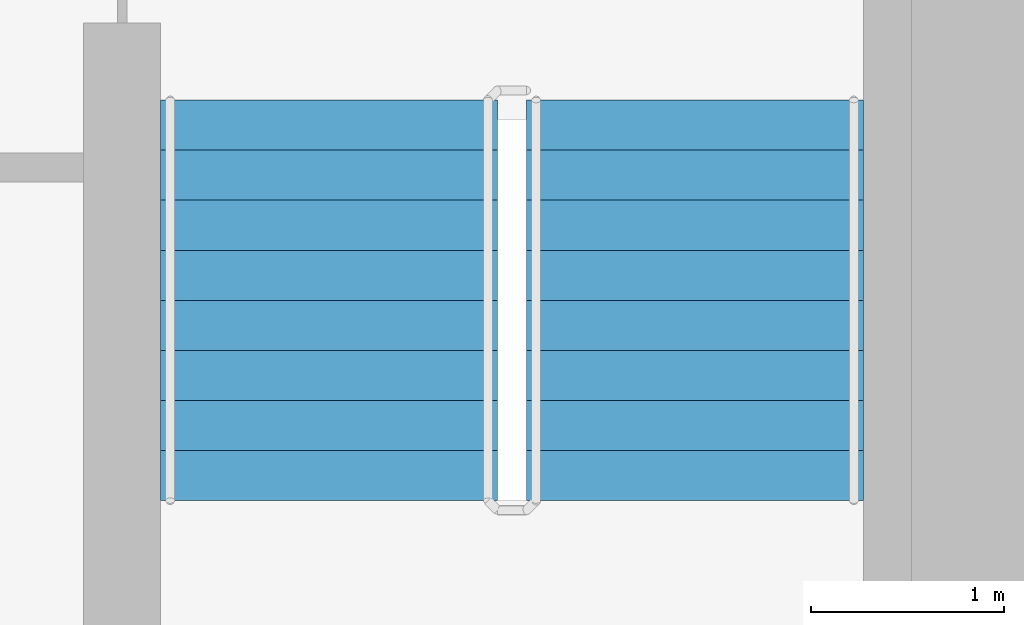
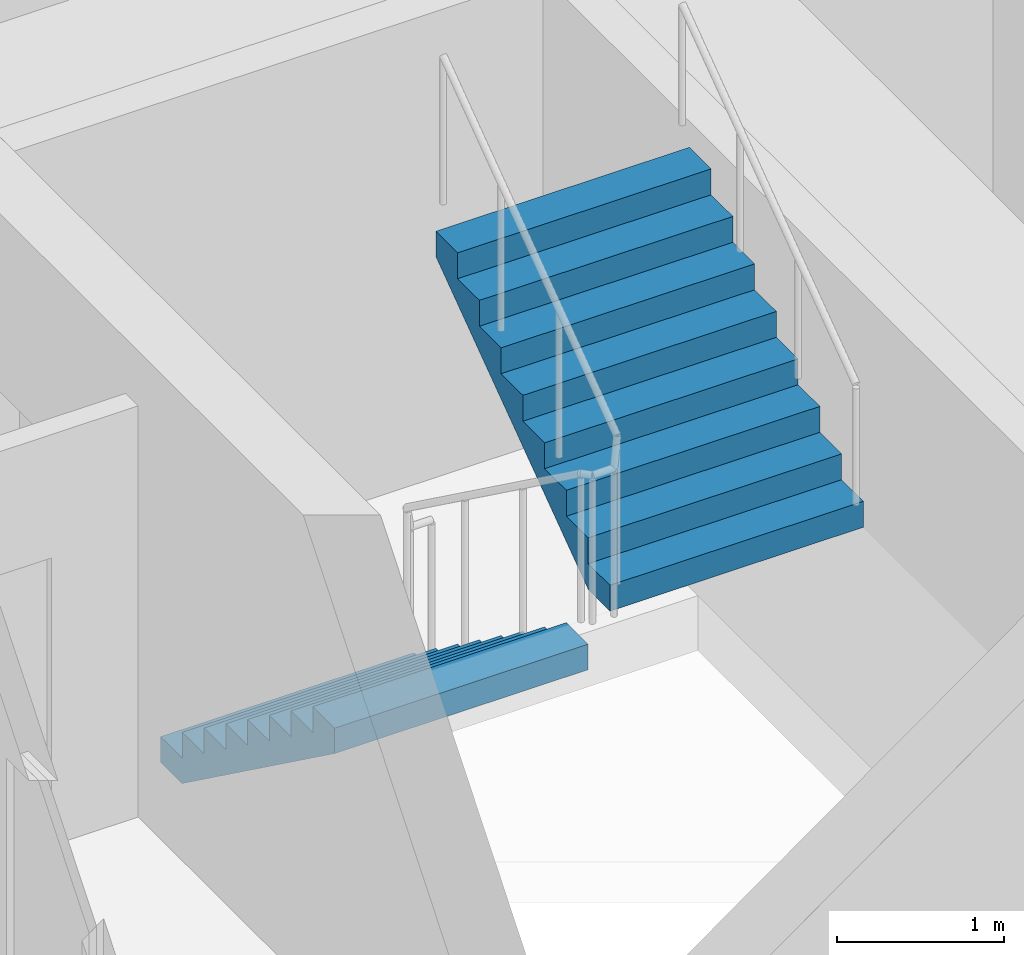
# One storey, part 19 of 22: 2 stair flights, 1 element without a shape of its own.
"""IFC4 building model written with IfcOpenShell, lengths in metres."""

from ifc_helpers import new_model, si_unit, direction, frame, origin, place, context, subcontext, project, spatial, faceted_brep, material, type_object, element, aggregate, save


model = new_model("IFC4")

# Units and contexts
model_context = context("Model", 3, precision=1e-05, world=origin(), true_north=direction((0.0, 1.0)))
body_context = subcontext(model_context, "Body", "Model", "MODEL_VIEW")
ifc_project = project(units=[si_unit("LENGTHUNIT", "METRE"), si_unit("AREAUNIT", "SQUARE_METRE"), si_unit("VOLUMEUNIT", "CUBIC_METRE"), si_unit("PLANEANGLEUNIT", "RADIAN"), si_unit("MASSUNIT", "GRAM", prefix="KILO")], contexts=[model_context])

# Site, building, storey
site_placement = place(None, origin())
site = spatial("IfcSite", under=ifc_project, at=site_placement, CompositionType="ELEMENT")
building_placement = place(site_placement, origin())
building = spatial("IfcBuilding", under=site, at=building_placement, Name="Ipe Terrace Towers", CompositionType="ELEMENT")
storey_placement = place(building_placement, frame((0.0, 0.0, 76.60009765625)))
storey = spatial("IfcBuildingStorey", under=building, at=storey_placement, Name="L20", CompositionType="ELEMENT", Elevation=76.60009765625)

# Stair, stair flights
ifc_material_1 = material(Name="Concrete C30/37", Category="concrete")
stair_type = type_object("IfcStairType", Name="Protected exit stair", PredefinedType="HALF_TURN_STAIR", material=ifc_material_1)
stair_placement = place(storey_placement, origin())
stair = element("IfcStair", 1, at=stair_placement, inside=storey, type_object=stair_type, Name="L20 Exit stair T2-C2", PredefinedType="HALF_TURN_STAIR")
ifc_material_2 = material(Name="Concrete C30/37", Category="concrete")
stair_flight_type = type_object("IfcStairFlightType", Name="Exit stair flight 1750", PredefinedType="STRAIGHT", material=ifc_material_2)
stair_flight_1_placement = place(storey_placement, frame((38.77490234375, -9.699951171875, 0.0), z_axis=(0.0, 0.0, 1.0), x_axis=(0.0, -1.0, 0.0)))
stair_flight_1 = element("IfcStairFlight", 2, at=stair_flight_1_placement, type_object=stair_flight_type, Name="T2-ST2 flight 1", NumberOfRisers=9, NumberOfTreads=8, PredefinedType="STRAIGHT", RiserHeight=0.188888889, TreadLength=0.26, context=body_context, shape_type="Brep", body=[
    faceted_brep([(0.255126953125, -0.875, 0.0), (2.080078125, -0.875, 1.325927734375), (2.080078125, -0.875, 1.51123046875), (1.820068359375, -0.875, 1.51123046875), (1.820068359375, -0.875, 1.322265625), (1.56005859375, -0.875, 1.322265625), (1.56005859375, -0.875, 1.13330078125), (1.300048828125, -0.875, 1.13330078125), (1.300048828125, -0.875, 0.9443359375), (1.0400390625, -0.875, 0.9443359375), (1.0400390625, -0.875, 0.755615234375), (0.780029296875, -0.875, 0.755615234375), (0.780029296875, -0.875, 0.566650390625), (0.52001953125, -0.875, 0.566650390625), (0.52001953125, -0.875, 0.377685546875), (0.260009765625, -0.875, 0.377685546875), (0.260009765625, -0.875, 0.18896484375), (0.0, -0.875, 0.18896484375), (0.0, -0.875, 0.0), (0.0, 0.875, 0.0), (0.0, 0.875, 0.18896484375), (0.260009765625, 0.875, 0.18896484375), (0.260009765625, 0.875, 0.377685546875), (0.52001953125, 0.875, 0.377685546875), (0.52001953125, 0.875, 0.566650390625), (0.780029296875, 0.875, 0.566650390625), (0.780029296875, 0.875, 0.755615234375), (1.0400390625, 0.875, 0.755615234375), (1.0400390625, 0.875, 0.9443359375), (1.300048828125, 0.875, 0.9443359375), (1.300048828125, 0.875, 1.13330078125), (1.56005859375, 0.875, 1.13330078125), (1.56005859375, 0.875, 1.322265625), (1.820068359375, 0.875, 1.322265625), (1.820068359375, 0.875, 1.51123046875), (2.080078125, 0.875, 1.51123046875), (2.080078125, 0.875, 1.325927734375), (0.255126953125, 0.875, 0.0), (0.0, -0.300048828125, 0.18896484375), (0.0, -0.1201171875, 0.18896484375), (0.0, -0.06005859375, 0.18896484375), (0.0, -0.030029296875, 0.18896484375), (0.0, -0.010009765625, 0.18896484375), (0.0, 0.0, 0.18896484375), (0.0, 0.010009765625, 0.18896484375), (0.0, 0.030029296875, 0.18896484375), (0.0, 0.06005859375, 0.18896484375), (0.0, 0.1201171875, 0.18896484375), (0.0, 0.300048828125, 0.18896484375), (0.0, 0.300048828125, 0.0), (0.0, 0.1201171875, 0.0), (0.0, 0.06005859375, 0.0), (0.0, 0.030029296875, 0.0), (0.0, 0.010009765625, 0.0), (0.0, 0.0, 0.0), (0.0, -0.010009765625, 0.0), (0.0, -0.030029296875, 0.0), (0.0, -0.06005859375, 0.0), (0.0, -0.1201171875, 0.0), (0.0, -0.300048828125, 0.0), (0.260009765625, -0.300048828125, 0.18896484375), (0.260009765625, -0.1201171875, 0.18896484375), (0.260009765625, -0.06005859375, 0.18896484375), (0.260009765625, -0.030029296875, 0.18896484375), (0.260009765625, -0.010009765625, 0.18896484375), (0.260009765625, 0.0, 0.18896484375), (0.260009765625, 0.010009765625, 0.18896484375), (0.260009765625, 0.030029296875, 0.18896484375), (0.260009765625, 0.06005859375, 0.18896484375), (0.260009765625, 0.1201171875, 0.18896484375), (0.260009765625, 0.300048828125, 0.18896484375), (0.260009765625, -0.300048828125, 0.377685546875), (0.260009765625, -0.1201171875, 0.377685546875), (0.260009765625, -0.06005859375, 0.377685546875), (0.260009765625, -0.030029296875, 0.377685546875), (0.260009765625, -0.010009765625, 0.377685546875), (0.260009765625, 0.0, 0.377685546875), (0.260009765625, 0.010009765625, 0.377685546875), (0.260009765625, 0.030029296875, 0.377685546875), (0.260009765625, 0.06005859375, 0.377685546875), (0.260009765625, 0.1201171875, 0.377685546875), (0.260009765625, 0.300048828125, 0.377685546875), (0.52001953125, -0.300048828125, 0.377685546875), (0.52001953125, -0.1201171875, 0.377685546875), (0.52001953125, -0.06005859375, 0.377685546875), (0.52001953125, -0.030029296875, 0.377685546875), (0.52001953125, -0.010009765625, 0.377685546875), (0.52001953125, 0.0, 0.377685546875), (0.52001953125, 0.010009765625, 0.377685546875), (0.52001953125, 0.030029296875, 0.377685546875), (0.52001953125, 0.06005859375, 0.377685546875), (0.52001953125, 0.1201171875, 0.377685546875), (0.52001953125, 0.300048828125, 0.377685546875), (0.52001953125, -0.300048828125, 0.566650390625), (0.52001953125, -0.1201171875, 0.566650390625), (0.52001953125, -0.06005859375, 0.566650390625), (0.52001953125, -0.030029296875, 0.566650390625), (0.52001953125, -0.010009765625, 0.566650390625), (0.52001953125, 0.0, 0.566650390625), (0.52001953125, 0.010009765625, 0.566650390625), (0.52001953125, 0.030029296875, 0.566650390625), (0.52001953125, 0.06005859375, 0.566650390625), (0.52001953125, 0.1201171875, 0.566650390625), (0.52001953125, 0.300048828125, 0.566650390625), (0.780029296875, -0.300048828125, 0.566650390625), (0.780029296875, -0.1201171875, 0.566650390625), (0.780029296875, -0.06005859375, 0.566650390625), (0.780029296875, -0.030029296875, 0.566650390625), (0.780029296875, -0.010009765625, 0.566650390625), (0.780029296875, 0.0, 0.566650390625), (0.780029296875, 0.010009765625, 0.566650390625), (0.780029296875, 0.030029296875, 0.566650390625), (0.780029296875, 0.06005859375, 0.566650390625), (0.780029296875, 0.1201171875, 0.566650390625), (0.780029296875, 0.300048828125, 0.566650390625), (0.780029296875, -0.300048828125, 0.755615234375), (0.780029296875, -0.1201171875, 0.755615234375), (0.780029296875, -0.06005859375, 0.755615234375), (0.780029296875, -0.030029296875, 0.755615234375), (0.780029296875, -0.010009765625, 0.755615234375), (0.780029296875, 0.0, 0.755615234375), (0.780029296875, 0.010009765625, 0.755615234375), (0.780029296875, 0.030029296875, 0.755615234375), (0.780029296875, 0.06005859375, 0.755615234375), (0.780029296875, 0.1201171875, 0.755615234375), (0.780029296875, 0.300048828125, 0.755615234375), (1.0400390625, -0.300048828125, 0.755615234375), (1.0400390625, -0.1201171875, 0.755615234375), (1.0400390625, -0.06005859375, 0.755615234375), (1.0400390625, -0.030029296875, 0.755615234375), (1.0400390625, -0.010009765625, 0.755615234375), (1.0400390625, 0.0, 0.755615234375), (1.0400390625, 0.010009765625, 0.755615234375), (1.0400390625, 0.030029296875, 0.755615234375), (1.0400390625, 0.06005859375, 0.755615234375), (1.0400390625, 0.1201171875, 0.755615234375), (1.0400390625, 0.300048828125, 0.755615234375), (1.0400390625, -0.300048828125, 0.9443359375), (1.0400390625, -0.1201171875, 0.9443359375), (1.0400390625, -0.06005859375, 0.9443359375), (1.0400390625, -0.030029296875, 0.9443359375), (1.0400390625, -0.010009765625, 0.9443359375), (1.0400390625, 0.0, 0.9443359375), (1.0400390625, 0.010009765625, 0.9443359375), (1.0400390625, 0.030029296875, 0.9443359375), (1.0400390625, 0.06005859375, 0.9443359375), (1.0400390625, 0.1201171875, 0.9443359375), (1.0400390625, 0.300048828125, 0.9443359375), (1.300048828125, -0.300048828125, 0.9443359375), (1.300048828125, -0.1201171875, 0.9443359375), (1.300048828125, -0.06005859375, 0.9443359375), (1.300048828125, -0.030029296875, 0.9443359375), (1.300048828125, -0.010009765625, 0.9443359375), (1.300048828125, 0.0, 0.9443359375), (1.300048828125, 0.010009765625, 0.9443359375), (1.300048828125, 0.030029296875, 0.9443359375), (1.300048828125, 0.06005859375, 0.9443359375), (1.300048828125, 0.1201171875, 0.9443359375), (1.300048828125, 0.300048828125, 0.9443359375), (1.300048828125, -0.300048828125, 1.13330078125), (1.300048828125, -0.1201171875, 1.13330078125), (1.300048828125, -0.06005859375, 1.13330078125), (1.300048828125, -0.030029296875, 1.13330078125), (1.300048828125, -0.010009765625, 1.13330078125), (1.300048828125, 0.0, 1.13330078125), (1.300048828125, 0.010009765625, 1.13330078125), (1.300048828125, 0.030029296875, 1.13330078125), (1.300048828125, 0.06005859375, 1.13330078125), (1.300048828125, 0.1201171875, 1.13330078125), (1.300048828125, 0.300048828125, 1.13330078125), (1.56005859375, -0.300048828125, 1.13330078125), (1.56005859375, -0.1201171875, 1.13330078125), (1.56005859375, -0.06005859375, 1.13330078125), (1.56005859375, -0.030029296875, 1.13330078125), (1.56005859375, -0.010009765625, 1.13330078125), (1.56005859375, 0.0, 1.13330078125), (1.56005859375, 0.010009765625, 1.13330078125), (1.56005859375, 0.030029296875, 1.13330078125), (1.56005859375, 0.06005859375, 1.13330078125), (1.56005859375, 0.1201171875, 1.13330078125), (1.56005859375, 0.300048828125, 1.13330078125), (1.56005859375, -0.300048828125, 1.322265625), (1.56005859375, -0.1201171875, 1.322265625), (1.56005859375, -0.06005859375, 1.322265625), (1.56005859375, -0.030029296875, 1.322265625), (1.56005859375, -0.010009765625, 1.322265625), (1.56005859375, 0.0, 1.322265625), (1.56005859375, 0.010009765625, 1.322265625), (1.56005859375, 0.030029296875, 1.322265625), (1.56005859375, 0.06005859375, 1.322265625), (1.56005859375, 0.1201171875, 1.322265625), (1.56005859375, 0.300048828125, 1.322265625), (1.820068359375, -0.300048828125, 1.322265625), (1.820068359375, -0.1201171875, 1.322265625), (1.820068359375, -0.06005859375, 1.322265625), (1.820068359375, -0.030029296875, 1.322265625), (1.820068359375, -0.010009765625, 1.322265625), (1.820068359375, 0.0, 1.322265625), (1.820068359375, 0.010009765625, 1.322265625), (1.820068359375, 0.030029296875, 1.322265625), (1.820068359375, 0.06005859375, 1.322265625), (1.820068359375, 0.1201171875, 1.322265625), (1.820068359375, 0.300048828125, 1.322265625), (1.820068359375, -0.300048828125, 1.51123046875), (1.820068359375, -0.1201171875, 1.51123046875), (1.820068359375, -0.06005859375, 1.51123046875), (1.820068359375, -0.030029296875, 1.51123046875), (1.820068359375, -0.010009765625, 1.51123046875), (1.820068359375, 0.0, 1.51123046875), (1.820068359375, 0.010009765625, 1.51123046875), (1.820068359375, 0.030029296875, 1.51123046875), (1.820068359375, 0.06005859375, 1.51123046875), (1.820068359375, 0.1201171875, 1.51123046875), (1.820068359375, 0.300048828125, 1.51123046875), (2.080078125, -0.300048828125, 1.51123046875), (2.080078125, -0.1201171875, 1.51123046875), (2.080078125, -0.06005859375, 1.51123046875), (2.080078125, -0.030029296875, 1.51123046875), (2.080078125, -0.010009765625, 1.51123046875), (2.080078125, 0.0, 1.51123046875), (2.080078125, 0.010009765625, 1.51123046875), (2.080078125, 0.030029296875, 1.51123046875), (2.080078125, 0.06005859375, 1.51123046875), (2.080078125, 0.1201171875, 1.51123046875), (2.080078125, 0.300048828125, 1.51123046875), (2.080078125, -0.300048828125, 1.325927734375), (2.080078125, -0.1201171875, 1.325927734375), (2.080078125, -0.06005859375, 1.325927734375), (2.080078125, -0.030029296875, 1.325927734375), (2.080078125, -0.010009765625, 1.325927734375), (2.080078125, 0.0, 1.325927734375), (2.080078125, 0.010009765625, 1.325927734375), (2.080078125, 0.030029296875, 1.325927734375), (2.080078125, 0.06005859375, 1.325927734375), (2.080078125, 0.1201171875, 1.325927734375), (2.080078125, 0.300048828125, 1.325927734375), (0.255126953125, -0.300048828125, 0.0), (0.255126953125, -0.1201171875, 0.0), (0.255126953125, -0.06005859375, 0.0), (0.255126953125, -0.030029296875, 0.0), (0.255126953125, -0.010009765625, 0.0), (0.255126953125, 0.0, 0.0), (0.255126953125, 0.010009765625, 0.0), (0.255126953125, 0.030029296875, 0.0), (0.255126953125, 0.06005859375, 0.0), (0.255126953125, 0.1201171875, 0.0), (0.255126953125, 0.300048828125, 0.0)], [[[0, 1, 2, 3, 4, 5, 6, 7, 8, 9, 10, 11, 12, 13, 14, 15, 16, 17, 18]], [[19, 20, 21, 22, 23, 24, 25, 26, 27, 28, 29, 30, 31, 32, 33, 34, 35, 36, 37]], [[17, 38, 39, 40, 41, 42, 43, 44, 45, 46, 47, 48, 20, 19, 49, 50, 51, 52, 53, 54, 55, 56, 57, 58, 59, 18]], [[16, 60, 61, 62, 63, 64, 65, 66, 67, 68, 69, 70, 21, 20, 48, 47, 46, 45, 44, 43, 42, 41, 40, 39, 38, 17]], [[15, 71, 72, 73, 74, 75, 76, 77, 78, 79, 80, 81, 22, 21, 70, 69, 68, 67, 66, 65, 64, 63, 62, 61, 60, 16]], [[14, 82, 83, 84, 85, 86, 87, 88, 89, 90, 91, 92, 23, 22, 81, 80, 79, 78, 77, 76, 75, 74, 73, 72, 71, 15]], [[13, 93, 94, 95, 96, 97, 98, 99, 100, 101, 102, 103, 24, 23, 92, 91, 90, 89, 88, 87, 86, 85, 84, 83, 82, 14]], [[12, 104, 105, 106, 107, 108, 109, 110, 111, 112, 113, 114, 25, 24, 103, 102, 101, 100, 99, 98, 97, 96, 95, 94, 93, 13]], [[11, 115, 116, 117, 118, 119, 120, 121, 122, 123, 124, 125, 26, 25, 114, 113, 112, 111, 110, 109, 108, 107, 106, 105, 104, 12]], [[10, 126, 127, 128, 129, 130, 131, 132, 133, 134, 135, 136, 27, 26, 125, 124, 123, 122, 121, 120, 119, 118, 117, 116, 115, 11]], [[9, 137, 138, 139, 140, 141, 142, 143, 144, 145, 146, 147, 28, 27, 136, 135, 134, 133, 132, 131, 130, 129, 128, 127, 126, 10]], [[8, 148, 149, 150, 151, 152, 153, 154, 155, 156, 157, 158, 29, 28, 147, 146, 145, 144, 143, 142, 141, 140, 139, 138, 137, 9]], [[7, 159, 160, 161, 162, 163, 164, 165, 166, 167, 168, 169, 30, 29, 158, 157, 156, 155, 154, 153, 152, 151, 150, 149, 148, 8]], [[6, 170, 171, 172, 173, 174, 175, 176, 177, 178, 179, 180, 31, 30, 169, 168, 167, 166, 165, 164, 163, 162, 161, 160, 159, 7]], [[5, 181, 182, 183, 184, 185, 186, 187, 188, 189, 190, 191, 32, 31, 180, 179, 178, 177, 176, 175, 174, 173, 172, 171, 170, 6]], [[4, 192, 193, 194, 195, 196, 197, 198, 199, 200, 201, 202, 33, 32, 191, 190, 189, 188, 187, 186, 185, 184, 183, 182, 181, 5]], [[3, 203, 204, 205, 206, 207, 208, 209, 210, 211, 212, 213, 34, 33, 202, 201, 200, 199, 198, 197, 196, 195, 194, 193, 192, 4]], [[2, 214, 215, 216, 217, 218, 219, 220, 221, 222, 223, 224, 35, 34, 213, 212, 211, 210, 209, 208, 207, 206, 205, 204, 203, 3]], [[1, 225, 226, 227, 228, 229, 230, 231, 232, 233, 234, 235, 36, 35, 224, 223, 222, 221, 220, 219, 218, 217, 216, 215, 214, 2]], [[0, 236, 237, 238, 239, 240, 241, 242, 243, 244, 245, 246, 37, 36, 235, 234, 233, 232, 231, 230, 229, 228, 227, 226, 225, 1]], [[18, 59, 58, 57, 56, 55, 54, 53, 52, 51, 50, 49, 19, 37, 246, 245, 244, 243, 242, 241, 240, 239, 238, 237, 236, 0]]]),
])
stair_flight_2_placement = place(storey_placement, frame((40.675048828125, -11.780029296875, 1.699951171875), z_axis=(0.0, 0.0, 1.0), x_axis=(0.0, 1.0, 0.0)))
stair_flight_2 = element("IfcStairFlight", 3, at=stair_flight_2_placement, type_object=stair_flight_type, Name="T2-ST2 flight 2", NumberOfRisers=9, NumberOfTreads=8, PredefinedType="STRAIGHT", RiserHeight=0.188888889, TreadLength=0.26, context=body_context, shape_type="Brep", body=[
    faceted_brep([(0.255126953125, -0.875, 0.0), (2.080078125, -0.875, 1.325927734375), (2.080078125, -0.875, 1.51123046875), (1.820068359375, -0.875, 1.51123046875), (1.820068359375, -0.875, 1.322265625), (1.56005859375, -0.875, 1.322265625), (1.56005859375, -0.875, 1.13330078125), (1.300048828125, -0.875, 1.13330078125), (1.300048828125, -0.875, 0.9443359375), (1.0400390625, -0.875, 0.9443359375), (1.0400390625, -0.875, 0.755615234375), (0.780029296875, -0.875, 0.755615234375), (0.780029296875, -0.875, 0.566650390625), (0.52001953125, -0.875, 0.566650390625), (0.52001953125, -0.875, 0.377685546875), (0.260009765625, -0.875, 0.377685546875), (0.260009765625, -0.875, 0.18896484375), (0.0, -0.875, 0.18896484375), (0.0, -0.875, 0.0), (0.0, 0.875, 0.0), (0.0, 0.875, 0.18896484375), (0.260009765625, 0.875, 0.18896484375), (0.260009765625, 0.875, 0.377685546875), (0.52001953125, 0.875, 0.377685546875), (0.52001953125, 0.875, 0.566650390625), (0.780029296875, 0.875, 0.566650390625), (0.780029296875, 0.875, 0.755615234375), (1.0400390625, 0.875, 0.755615234375), (1.0400390625, 0.875, 0.9443359375), (1.300048828125, 0.875, 0.9443359375), (1.300048828125, 0.875, 1.13330078125), (1.56005859375, 0.875, 1.13330078125), (1.56005859375, 0.875, 1.322265625), (1.820068359375, 0.875, 1.322265625), (1.820068359375, 0.875, 1.51123046875), (2.080078125, 0.875, 1.51123046875), (2.080078125, 0.875, 1.325927734375), (0.255126953125, 0.875, 0.0), (0.0, -0.300048828125, 0.18896484375), (0.0, -0.1201171875, 0.18896484375), (0.0, -0.06005859375, 0.18896484375), (0.0, -0.030029296875, 0.18896484375), (0.0, -0.010009765625, 0.18896484375), (0.0, 0.0, 0.18896484375), (0.0, 0.010009765625, 0.18896484375), (0.0, 0.030029296875, 0.18896484375), (0.0, 0.06005859375, 0.18896484375), (0.0, 0.1201171875, 0.18896484375), (0.0, 0.300048828125, 0.18896484375), (0.0, 0.300048828125, 0.0), (0.0, 0.1201171875, 0.0), (0.0, 0.06005859375, 0.0), (0.0, 0.030029296875, 0.0), (0.0, 0.010009765625, 0.0), (0.0, 0.0, 0.0), (0.0, -0.010009765625, 0.0), (0.0, -0.030029296875, 0.0), (0.0, -0.06005859375, 0.0), (0.0, -0.1201171875, 0.0), (0.0, -0.300048828125, 0.0), (0.260009765625, -0.300048828125, 0.18896484375), (0.260009765625, -0.1201171875, 0.18896484375), (0.260009765625, -0.06005859375, 0.18896484375), (0.260009765625, -0.030029296875, 0.18896484375), (0.260009765625, -0.010009765625, 0.18896484375), (0.260009765625, 0.0, 0.18896484375), (0.260009765625, 0.010009765625, 0.18896484375), (0.260009765625, 0.030029296875, 0.18896484375), (0.260009765625, 0.06005859375, 0.18896484375), (0.260009765625, 0.1201171875, 0.18896484375), (0.260009765625, 0.300048828125, 0.18896484375), (0.260009765625, -0.300048828125, 0.377685546875), (0.260009765625, -0.1201171875, 0.377685546875), (0.260009765625, -0.06005859375, 0.377685546875), (0.260009765625, -0.030029296875, 0.377685546875), (0.260009765625, -0.010009765625, 0.377685546875), (0.260009765625, 0.0, 0.377685546875), (0.260009765625, 0.010009765625, 0.377685546875), (0.260009765625, 0.030029296875, 0.377685546875), (0.260009765625, 0.06005859375, 0.377685546875), (0.260009765625, 0.1201171875, 0.377685546875), (0.260009765625, 0.300048828125, 0.377685546875), (0.52001953125, -0.300048828125, 0.377685546875), (0.52001953125, -0.1201171875, 0.377685546875), (0.52001953125, -0.06005859375, 0.377685546875), (0.52001953125, -0.030029296875, 0.377685546875), (0.52001953125, -0.010009765625, 0.377685546875), (0.52001953125, 0.0, 0.377685546875), (0.52001953125, 0.010009765625, 0.377685546875), (0.52001953125, 0.030029296875, 0.377685546875), (0.52001953125, 0.06005859375, 0.377685546875), (0.52001953125, 0.1201171875, 0.377685546875), (0.52001953125, 0.300048828125, 0.377685546875), (0.52001953125, -0.300048828125, 0.566650390625), (0.52001953125, -0.1201171875, 0.566650390625), (0.52001953125, -0.06005859375, 0.566650390625), (0.52001953125, -0.030029296875, 0.566650390625), (0.52001953125, -0.010009765625, 0.566650390625), (0.52001953125, 0.0, 0.566650390625), (0.52001953125, 0.010009765625, 0.566650390625), (0.52001953125, 0.030029296875, 0.566650390625), (0.52001953125, 0.06005859375, 0.566650390625), (0.52001953125, 0.1201171875, 0.566650390625), (0.52001953125, 0.300048828125, 0.566650390625), (0.780029296875, -0.300048828125, 0.566650390625), (0.780029296875, -0.1201171875, 0.566650390625), (0.780029296875, -0.06005859375, 0.566650390625), (0.780029296875, -0.030029296875, 0.566650390625), (0.780029296875, -0.010009765625, 0.566650390625), (0.780029296875, 0.0, 0.566650390625), (0.780029296875, 0.010009765625, 0.566650390625), (0.780029296875, 0.030029296875, 0.566650390625), (0.780029296875, 0.06005859375, 0.566650390625), (0.780029296875, 0.1201171875, 0.566650390625), (0.780029296875, 0.300048828125, 0.566650390625), (0.780029296875, -0.300048828125, 0.755615234375), (0.780029296875, -0.1201171875, 0.755615234375), (0.780029296875, -0.06005859375, 0.755615234375), (0.780029296875, -0.030029296875, 0.755615234375), (0.780029296875, -0.010009765625, 0.755615234375), (0.780029296875, 0.0, 0.755615234375), (0.780029296875, 0.010009765625, 0.755615234375), (0.780029296875, 0.030029296875, 0.755615234375), (0.780029296875, 0.06005859375, 0.755615234375), (0.780029296875, 0.1201171875, 0.755615234375), (0.780029296875, 0.300048828125, 0.755615234375), (1.0400390625, -0.300048828125, 0.755615234375), (1.0400390625, -0.1201171875, 0.755615234375), (1.0400390625, -0.06005859375, 0.755615234375), (1.0400390625, -0.030029296875, 0.755615234375), (1.0400390625, -0.010009765625, 0.755615234375), (1.0400390625, 0.0, 0.755615234375), (1.0400390625, 0.010009765625, 0.755615234375), (1.0400390625, 0.030029296875, 0.755615234375), (1.0400390625, 0.06005859375, 0.755615234375), (1.0400390625, 0.1201171875, 0.755615234375), (1.0400390625, 0.300048828125, 0.755615234375), (1.0400390625, -0.300048828125, 0.9443359375), (1.0400390625, -0.1201171875, 0.9443359375), (1.0400390625, -0.06005859375, 0.9443359375), (1.0400390625, -0.030029296875, 0.9443359375), (1.0400390625, -0.010009765625, 0.9443359375), (1.0400390625, 0.0, 0.9443359375), (1.0400390625, 0.010009765625, 0.9443359375), (1.0400390625, 0.030029296875, 0.9443359375), (1.0400390625, 0.06005859375, 0.9443359375), (1.0400390625, 0.1201171875, 0.9443359375), (1.0400390625, 0.300048828125, 0.9443359375), (1.300048828125, -0.300048828125, 0.9443359375), (1.300048828125, -0.1201171875, 0.9443359375), (1.300048828125, -0.06005859375, 0.9443359375), (1.300048828125, -0.030029296875, 0.9443359375), (1.300048828125, -0.010009765625, 0.9443359375), (1.300048828125, 0.0, 0.9443359375), (1.300048828125, 0.010009765625, 0.9443359375), (1.300048828125, 0.030029296875, 0.9443359375), (1.300048828125, 0.06005859375, 0.9443359375), (1.300048828125, 0.1201171875, 0.9443359375), (1.300048828125, 0.300048828125, 0.9443359375), (1.300048828125, -0.300048828125, 1.13330078125), (1.300048828125, -0.1201171875, 1.13330078125), (1.300048828125, -0.06005859375, 1.13330078125), (1.300048828125, -0.030029296875, 1.13330078125), (1.300048828125, -0.010009765625, 1.13330078125), (1.300048828125, 0.0, 1.13330078125), (1.300048828125, 0.010009765625, 1.13330078125), (1.300048828125, 0.030029296875, 1.13330078125), (1.300048828125, 0.06005859375, 1.13330078125), (1.300048828125, 0.1201171875, 1.13330078125), (1.300048828125, 0.300048828125, 1.13330078125), (1.56005859375, -0.300048828125, 1.13330078125), (1.56005859375, -0.1201171875, 1.13330078125), (1.56005859375, -0.06005859375, 1.13330078125), (1.56005859375, -0.030029296875, 1.13330078125), (1.56005859375, -0.010009765625, 1.13330078125), (1.56005859375, 0.0, 1.13330078125), (1.56005859375, 0.010009765625, 1.13330078125), (1.56005859375, 0.030029296875, 1.13330078125), (1.56005859375, 0.06005859375, 1.13330078125), (1.56005859375, 0.1201171875, 1.13330078125), (1.56005859375, 0.300048828125, 1.13330078125), (1.56005859375, -0.300048828125, 1.322265625), (1.56005859375, -0.1201171875, 1.322265625), (1.56005859375, -0.06005859375, 1.322265625), (1.56005859375, -0.030029296875, 1.322265625), (1.56005859375, -0.010009765625, 1.322265625), (1.56005859375, 0.0, 1.322265625), (1.56005859375, 0.010009765625, 1.322265625), (1.56005859375, 0.030029296875, 1.322265625), (1.56005859375, 0.06005859375, 1.322265625), (1.56005859375, 0.1201171875, 1.322265625), (1.56005859375, 0.300048828125, 1.322265625), (1.820068359375, -0.300048828125, 1.322265625), (1.820068359375, -0.1201171875, 1.322265625), (1.820068359375, -0.06005859375, 1.322265625), (1.820068359375, -0.030029296875, 1.322265625), (1.820068359375, -0.010009765625, 1.322265625), (1.820068359375, 0.0, 1.322265625), (1.820068359375, 0.010009765625, 1.322265625), (1.820068359375, 0.030029296875, 1.322265625), (1.820068359375, 0.06005859375, 1.322265625), (1.820068359375, 0.1201171875, 1.322265625), (1.820068359375, 0.300048828125, 1.322265625), (1.820068359375, -0.300048828125, 1.51123046875), (1.820068359375, -0.1201171875, 1.51123046875), (1.820068359375, -0.06005859375, 1.51123046875), (1.820068359375, -0.030029296875, 1.51123046875), (1.820068359375, -0.010009765625, 1.51123046875), (1.820068359375, 0.0, 1.51123046875), (1.820068359375, 0.010009765625, 1.51123046875), (1.820068359375, 0.030029296875, 1.51123046875), (1.820068359375, 0.06005859375, 1.51123046875), (1.820068359375, 0.1201171875, 1.51123046875), (1.820068359375, 0.300048828125, 1.51123046875), (2.080078125, -0.300048828125, 1.51123046875), (2.080078125, -0.1201171875, 1.51123046875), (2.080078125, -0.06005859375, 1.51123046875), (2.080078125, -0.030029296875, 1.51123046875), (2.080078125, -0.010009765625, 1.51123046875), (2.080078125, 0.0, 1.51123046875), (2.080078125, 0.010009765625, 1.51123046875), (2.080078125, 0.030029296875, 1.51123046875), (2.080078125, 0.06005859375, 1.51123046875), (2.080078125, 0.1201171875, 1.51123046875), (2.080078125, 0.300048828125, 1.51123046875), (2.080078125, -0.300048828125, 1.325927734375), (2.080078125, -0.1201171875, 1.325927734375), (2.080078125, -0.06005859375, 1.325927734375), (2.080078125, -0.030029296875, 1.325927734375), (2.080078125, -0.010009765625, 1.325927734375), (2.080078125, 0.0, 1.325927734375), (2.080078125, 0.010009765625, 1.325927734375), (2.080078125, 0.030029296875, 1.325927734375), (2.080078125, 0.06005859375, 1.325927734375), (2.080078125, 0.1201171875, 1.325927734375), (2.080078125, 0.300048828125, 1.325927734375), (0.255126953125, -0.300048828125, 0.0), (0.255126953125, -0.1201171875, 0.0), (0.255126953125, -0.06005859375, 0.0), (0.255126953125, -0.030029296875, 0.0), (0.255126953125, -0.010009765625, 0.0), (0.255126953125, 0.0, 0.0), (0.255126953125, 0.010009765625, 0.0), (0.255126953125, 0.030029296875, 0.0), (0.255126953125, 0.06005859375, 0.0), (0.255126953125, 0.1201171875, 0.0), (0.255126953125, 0.300048828125, 0.0)], [[[0, 1, 2, 3, 4, 5, 6, 7, 8, 9, 10, 11, 12, 13, 14, 15, 16, 17, 18]], [[19, 20, 21, 22, 23, 24, 25, 26, 27, 28, 29, 30, 31, 32, 33, 34, 35, 36, 37]], [[17, 38, 39, 40, 41, 42, 43, 44, 45, 46, 47, 48, 20, 19, 49, 50, 51, 52, 53, 54, 55, 56, 57, 58, 59, 18]], [[16, 60, 61, 62, 63, 64, 65, 66, 67, 68, 69, 70, 21, 20, 48, 47, 46, 45, 44, 43, 42, 41, 40, 39, 38, 17]], [[15, 71, 72, 73, 74, 75, 76, 77, 78, 79, 80, 81, 22, 21, 70, 69, 68, 67, 66, 65, 64, 63, 62, 61, 60, 16]], [[14, 82, 83, 84, 85, 86, 87, 88, 89, 90, 91, 92, 23, 22, 81, 80, 79, 78, 77, 76, 75, 74, 73, 72, 71, 15]], [[13, 93, 94, 95, 96, 97, 98, 99, 100, 101, 102, 103, 24, 23, 92, 91, 90, 89, 88, 87, 86, 85, 84, 83, 82, 14]], [[12, 104, 105, 106, 107, 108, 109, 110, 111, 112, 113, 114, 25, 24, 103, 102, 101, 100, 99, 98, 97, 96, 95, 94, 93, 13]], [[11, 115, 116, 117, 118, 119, 120, 121, 122, 123, 124, 125, 26, 25, 114, 113, 112, 111, 110, 109, 108, 107, 106, 105, 104, 12]], [[10, 126, 127, 128, 129, 130, 131, 132, 133, 134, 135, 136, 27, 26, 125, 124, 123, 122, 121, 120, 119, 118, 117, 116, 115, 11]], [[9, 137, 138, 139, 140, 141, 142, 143, 144, 145, 146, 147, 28, 27, 136, 135, 134, 133, 132, 131, 130, 129, 128, 127, 126, 10]], [[8, 148, 149, 150, 151, 152, 153, 154, 155, 156, 157, 158, 29, 28, 147, 146, 145, 144, 143, 142, 141, 140, 139, 138, 137, 9]], [[7, 159, 160, 161, 162, 163, 164, 165, 166, 167, 168, 169, 30, 29, 158, 157, 156, 155, 154, 153, 152, 151, 150, 149, 148, 8]], [[6, 170, 171, 172, 173, 174, 175, 176, 177, 178, 179, 180, 31, 30, 169, 168, 167, 166, 165, 164, 163, 162, 161, 160, 159, 7]], [[5, 181, 182, 183, 184, 185, 186, 187, 188, 189, 190, 191, 32, 31, 180, 179, 178, 177, 176, 175, 174, 173, 172, 171, 170, 6]], [[4, 192, 193, 194, 195, 196, 197, 198, 199, 200, 201, 202, 33, 32, 191, 190, 189, 188, 187, 186, 185, 184, 183, 182, 181, 5]], [[3, 203, 204, 205, 206, 207, 208, 209, 210, 211, 212, 213, 34, 33, 202, 201, 200, 199, 198, 197, 196, 195, 194, 193, 192, 4]], [[2, 214, 215, 216, 217, 218, 219, 220, 221, 222, 223, 224, 35, 34, 213, 212, 211, 210, 209, 208, 207, 206, 205, 204, 203, 3]], [[1, 225, 226, 227, 228, 229, 230, 231, 232, 233, 234, 235, 36, 35, 224, 223, 222, 221, 220, 219, 218, 217, 216, 215, 214, 2]], [[0, 236, 237, 238, 239, 240, 241, 242, 243, 244, 245, 246, 37, 36, 235, 234, 233, 232, 231, 230, 229, 228, 227, 226, 225, 1]], [[18, 59, 58, 57, 56, 55, 54, 53, 52, 51, 50, 49, 19, 37, 246, 245, 244, 243, 242, 241, 240, 239, 238, 237, 236, 0]]]),
])
aggregate(stair, [stair_flight_1, stair_flight_2])

save(model, "model.ifc")
